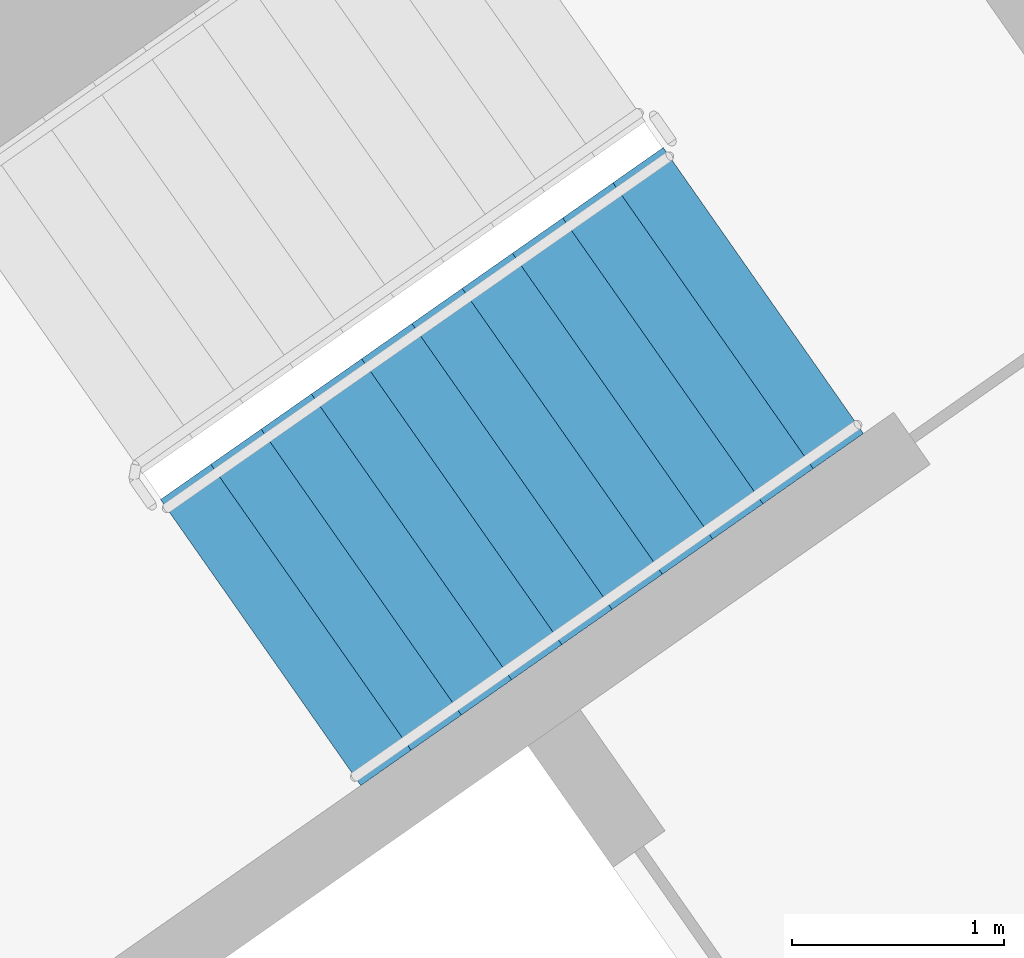
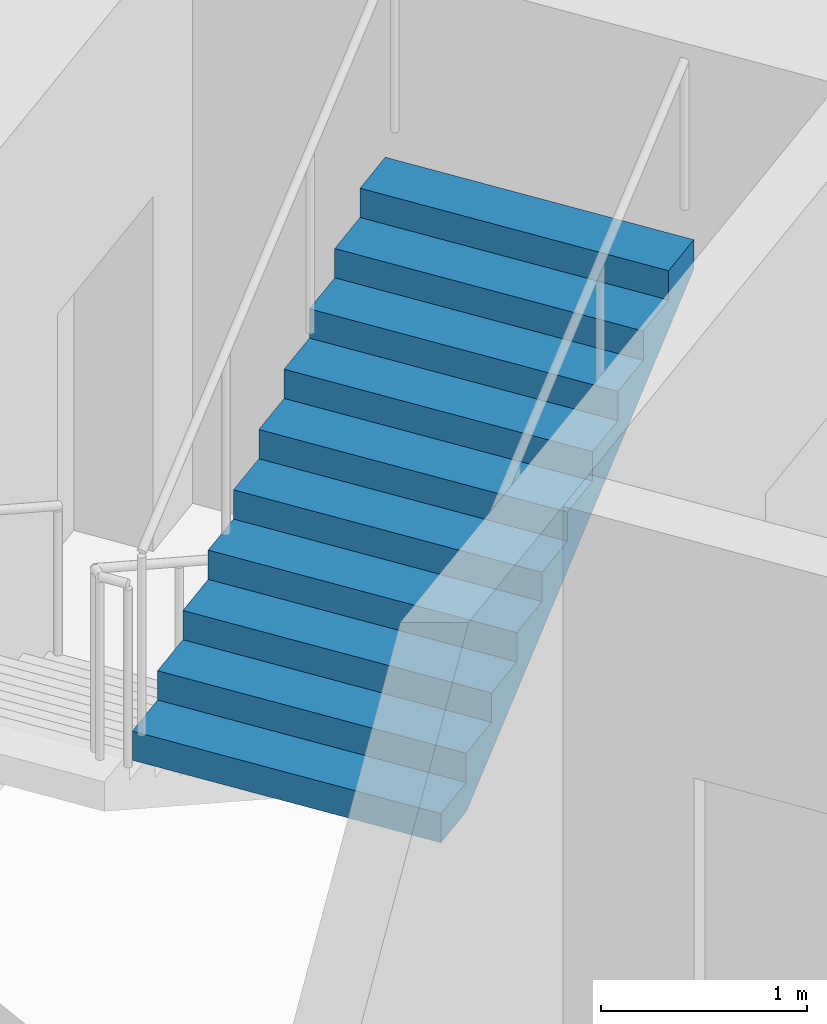
# One storey, part 17 of 35: 1 stair flight, 1 element without a shape of its own.
"""IFC4 building model written with IfcOpenShell, lengths in metres."""

from ifc_helpers import new_model, si_unit, direction, frame, origin, place, context, subcontext, project, spatial, faceted_brep, material, type_object, element, aggregate, save


model = new_model("IFC4")

# Units and contexts
model_context = context("Model", 3, precision=1e-05, world=origin(), true_north=direction((0.0, 1.0)))
body_context = subcontext(model_context, "Body", "Model", "MODEL_VIEW")
ifc_project = project(units=[si_unit("LENGTHUNIT", "METRE"), si_unit("AREAUNIT", "SQUARE_METRE"), si_unit("VOLUMEUNIT", "CUBIC_METRE"), si_unit("PLANEANGLEUNIT", "RADIAN"), si_unit("MASSUNIT", "GRAM", prefix="KILO")], contexts=[model_context])

# Site, building, storey
site_placement = place(None, origin())
site = spatial("IfcSite", under=ifc_project, at=site_placement, CompositionType="ELEMENT")
building_placement = place(site_placement, origin())
building = spatial("IfcBuilding", under=site, at=building_placement, Name="Qamariyya Broadcast Tower", CompositionType="ELEMENT")
storey_placement = place(building_placement, frame((0.0, 0.0, 40.5)))
storey = spatial("IfcBuildingStorey", under=building, at=storey_placement, Name="L06", CompositionType="ELEMENT", Elevation=40.5)

# Stair, stair flight
ifc_material = material(Name="Concrete C50/60", Category="concrete")
stair_type = type_object("IfcStairType", Name="Exit stair 22 risers of 173 mm", PredefinedType="HALF_TURN_STAIR", material=ifc_material)
stair_placement = place(storey_placement, origin())
stair = element("IfcStair", 1, at=stair_placement, inside=storey, type_object=stair_type, Name="L06 Stair E2", PredefinedType="HALF_TURN_STAIR")
stair_flight_type = type_object("IfcStairFlightType", Name="Exit stair flight 11 risers of 173 mm", PredefinedType="STRAIGHT", material=ifc_material)
stair_flight_placement = place(storey_placement, frame((39.215576171875, -50.822998046875, 1.89990234375), z_axis=(0.0, 0.0, 1.0), x_axis=(0.819152044289, 0.573576436351, 0.0)))
stair_flight = element("IfcStairFlight", 2, at=stair_flight_placement, type_object=stair_flight_type, Name="ST-E2 flight 2", NumberOfRisers=11, NumberOfTreads=10, PredefinedType="STRAIGHT", RiserHeight=0.172727273, TreadLength=0.29, context=body_context, shape_type="Brep", body=[
    faceted_brep([(0.0, 0.824951171875, 0.0), (0.0, 0.824951171875, 0.172607421875), (0.2900390625, 0.824951171875, 0.172607421875), (0.2900390625, 0.824951171875, 0.345458984375), (0.580078125, 0.824951171875, 0.345458984375), (0.580078125, 0.824951171875, 0.51806640625), (0.8701171875, 0.824951171875, 0.51806640625), (0.8701171875, 0.824951171875, 0.69091796875), (1.159912109375, 0.824951171875, 0.69091796875), (1.159912109375, 0.824951171875, 0.863525390625), (1.449951171875, 0.824951171875, 0.863525390625), (1.449951171875, 0.824951171875, 1.036376953125), (1.739990234375, 0.824951171875, 1.036376953125), (1.739990234375, 0.824951171875, 1.208984375), (2.030029296875, 0.824951171875, 1.208984375), (2.030029296875, 0.824951171875, 1.3818359375), (2.320068359375, 0.824951171875, 1.3818359375), (2.320068359375, 0.824951171875, 1.554443359375), (2.610107421875, 0.824951171875, 1.554443359375), (2.610107421875, 0.824951171875, 1.727294921875), (2.89990234375, 0.824951171875, 1.727294921875), (2.89990234375, 0.824951171875, 1.552734375), (0.29296875, 0.824951171875, 0.0), (0.29296875, -0.824951171875, 0.0), (2.89990234375, -0.824951171875, 1.552734375), (2.89990234375, -0.824951171875, 1.727294921875), (2.610107421875, -0.824951171875, 1.727294921875), (2.610107421875, -0.824951171875, 1.554443359375), (2.320068359375, -0.824951171875, 1.554443359375), (2.320068359375, -0.824951171875, 1.3818359375), (2.030029296875, -0.824951171875, 1.3818359375), (2.030029296875, -0.824951171875, 1.208984375), (1.739990234375, -0.824951171875, 1.208984375), (1.739990234375, -0.824951171875, 1.036376953125), (1.449951171875, -0.824951171875, 1.036376953125), (1.449951171875, -0.824951171875, 0.863525390625), (1.159912109375, -0.824951171875, 0.863525390625), (1.159912109375, -0.824951171875, 0.69091796875), (0.8701171875, -0.824951171875, 0.69091796875), (0.8701171875, -0.824951171875, 0.51806640625), (0.580078125, -0.824951171875, 0.51806640625), (0.580078125, -0.824951171875, 0.345458984375), (0.2900390625, -0.824951171875, 0.345458984375), (0.2900390625, -0.824951171875, 0.172607421875), (0.0, -0.824951171875, 0.172607421875), (0.0, -0.824951171875, 0.0), (0.0, 0.10009765625, 0.0), (0.0, 0.086669921875, 0.0), (0.0, 0.0732421875, 0.0), (0.0, 0.06005859375, 0.0), (0.0, 0.046630859375, 0.0), (0.0, 0.033447265625, 0.0), (0.0, 0.02001953125, 0.0), (0.0, 0.006591796875, 0.0), (0.0, -0.006591796875, 0.0), (0.0, -0.02001953125, 0.0), (0.0, -0.033447265625, 0.0), (0.0, -0.046630859375, 0.0), (0.0, -0.06005859375, 0.0), (0.0, -0.0732421875, 0.0), (0.0, -0.086669921875, 0.0), (0.0, -0.10009765625, 0.0), (0.0, -0.10009765625, 0.172607421875), (0.0, -0.086669921875, 0.172607421875), (0.0, -0.0732421875, 0.172607421875), (0.0, -0.06005859375, 0.172607421875), (0.0, -0.046630859375, 0.172607421875), (0.0, -0.033447265625, 0.172607421875), (0.0, -0.02001953125, 0.172607421875), (0.0, -0.006591796875, 0.172607421875), (0.0, 0.006591796875, 0.172607421875), (0.0, 0.02001953125, 0.172607421875), (0.0, 0.033447265625, 0.172607421875), (0.0, 0.046630859375, 0.172607421875), (0.0, 0.06005859375, 0.172607421875), (0.0, 0.0732421875, 0.172607421875), (0.0, 0.086669921875, 0.172607421875), (0.0, 0.10009765625, 0.172607421875), (0.2900390625, -0.10009765625, 0.172607421875), (0.2900390625, -0.086669921875, 0.172607421875), (0.2900390625, -0.0732421875, 0.172607421875), (0.2900390625, -0.06005859375, 0.172607421875), (0.2900390625, -0.046630859375, 0.172607421875), (0.2900390625, -0.033447265625, 0.172607421875), (0.2900390625, -0.02001953125, 0.172607421875), (0.2900390625, -0.006591796875, 0.172607421875), (0.2900390625, 0.006591796875, 0.172607421875), (0.2900390625, 0.02001953125, 0.172607421875), (0.2900390625, 0.033447265625, 0.172607421875), (0.2900390625, 0.046630859375, 0.172607421875), (0.2900390625, 0.06005859375, 0.172607421875), (0.2900390625, 0.0732421875, 0.172607421875), (0.2900390625, 0.086669921875, 0.172607421875), (0.2900390625, 0.10009765625, 0.172607421875), (0.2900390625, -0.10009765625, 0.345458984375), (0.2900390625, -0.086669921875, 0.345458984375), (0.2900390625, -0.0732421875, 0.345458984375), (0.2900390625, -0.06005859375, 0.345458984375), (0.2900390625, -0.046630859375, 0.345458984375), (0.2900390625, -0.033447265625, 0.345458984375), (0.2900390625, -0.02001953125, 0.345458984375), (0.2900390625, -0.006591796875, 0.345458984375), (0.2900390625, 0.006591796875, 0.345458984375), (0.2900390625, 0.02001953125, 0.345458984375), (0.2900390625, 0.033447265625, 0.345458984375), (0.2900390625, 0.046630859375, 0.345458984375), (0.2900390625, 0.06005859375, 0.345458984375), (0.2900390625, 0.0732421875, 0.345458984375), (0.2900390625, 0.086669921875, 0.345458984375), (0.2900390625, 0.10009765625, 0.345458984375), (0.580078125, -0.10009765625, 0.345458984375), (0.580078125, -0.086669921875, 0.345458984375), (0.580078125, -0.0732421875, 0.345458984375), (0.580078125, -0.06005859375, 0.345458984375), (0.580078125, -0.046630859375, 0.345458984375), (0.580078125, -0.033447265625, 0.345458984375), (0.580078125, -0.02001953125, 0.345458984375), (0.580078125, -0.006591796875, 0.345458984375), (0.580078125, 0.006591796875, 0.345458984375), (0.580078125, 0.02001953125, 0.345458984375), (0.580078125, 0.033447265625, 0.345458984375), (0.580078125, 0.046630859375, 0.345458984375), (0.580078125, 0.06005859375, 0.345458984375), (0.580078125, 0.0732421875, 0.345458984375), (0.580078125, 0.086669921875, 0.345458984375), (0.580078125, 0.10009765625, 0.345458984375), (0.580078125, -0.10009765625, 0.51806640625), (0.580078125, -0.086669921875, 0.51806640625), (0.580078125, -0.0732421875, 0.51806640625), (0.580078125, -0.06005859375, 0.51806640625), (0.580078125, -0.046630859375, 0.51806640625), (0.580078125, -0.033447265625, 0.51806640625), (0.580078125, -0.02001953125, 0.51806640625), (0.580078125, -0.006591796875, 0.51806640625), (0.580078125, 0.006591796875, 0.51806640625), (0.580078125, 0.02001953125, 0.51806640625), (0.580078125, 0.033447265625, 0.51806640625), (0.580078125, 0.046630859375, 0.51806640625), (0.580078125, 0.06005859375, 0.51806640625), (0.580078125, 0.0732421875, 0.51806640625), (0.580078125, 0.086669921875, 0.51806640625), (0.580078125, 0.10009765625, 0.51806640625), (0.8701171875, -0.10009765625, 0.51806640625), (0.8701171875, -0.086669921875, 0.51806640625), (0.8701171875, -0.0732421875, 0.51806640625), (0.8701171875, -0.06005859375, 0.51806640625), (0.8701171875, -0.046630859375, 0.51806640625), (0.8701171875, -0.033447265625, 0.51806640625), (0.8701171875, -0.02001953125, 0.51806640625), (0.8701171875, -0.006591796875, 0.51806640625), (0.8701171875, 0.006591796875, 0.51806640625), (0.8701171875, 0.02001953125, 0.51806640625), (0.8701171875, 0.033447265625, 0.51806640625), (0.8701171875, 0.046630859375, 0.51806640625), (0.8701171875, 0.06005859375, 0.51806640625), (0.8701171875, 0.0732421875, 0.51806640625), (0.8701171875, 0.086669921875, 0.51806640625), (0.8701171875, 0.10009765625, 0.51806640625), (0.8701171875, -0.10009765625, 0.69091796875), (0.8701171875, -0.086669921875, 0.69091796875), (0.8701171875, -0.0732421875, 0.69091796875), (0.8701171875, -0.06005859375, 0.69091796875), (0.8701171875, -0.046630859375, 0.69091796875), (0.8701171875, -0.033447265625, 0.69091796875), (0.8701171875, -0.02001953125, 0.69091796875), (0.8701171875, -0.006591796875, 0.69091796875), (0.8701171875, 0.006591796875, 0.69091796875), (0.8701171875, 0.02001953125, 0.69091796875), (0.8701171875, 0.033447265625, 0.69091796875), (0.8701171875, 0.046630859375, 0.69091796875), (0.8701171875, 0.06005859375, 0.69091796875), (0.8701171875, 0.0732421875, 0.69091796875), (0.8701171875, 0.086669921875, 0.69091796875), (0.8701171875, 0.10009765625, 0.69091796875), (1.159912109375, -0.10009765625, 0.69091796875), (1.159912109375, -0.086669921875, 0.69091796875), (1.159912109375, -0.0732421875, 0.69091796875), (1.159912109375, -0.06005859375, 0.69091796875), (1.159912109375, -0.046630859375, 0.69091796875), (1.159912109375, -0.033447265625, 0.69091796875), (1.159912109375, -0.02001953125, 0.69091796875), (1.159912109375, -0.006591796875, 0.69091796875), (1.159912109375, 0.006591796875, 0.69091796875), (1.159912109375, 0.02001953125, 0.69091796875), (1.159912109375, 0.033447265625, 0.69091796875), (1.159912109375, 0.046630859375, 0.69091796875), (1.159912109375, 0.06005859375, 0.69091796875), (1.159912109375, 0.0732421875, 0.69091796875), (1.159912109375, 0.086669921875, 0.69091796875), (1.159912109375, 0.10009765625, 0.69091796875), (1.159912109375, -0.10009765625, 0.863525390625), (1.159912109375, -0.086669921875, 0.863525390625), (1.159912109375, -0.0732421875, 0.863525390625), (1.159912109375, -0.06005859375, 0.863525390625), (1.159912109375, -0.046630859375, 0.863525390625), (1.159912109375, -0.033447265625, 0.863525390625), (1.159912109375, -0.02001953125, 0.863525390625), (1.159912109375, -0.006591796875, 0.863525390625), (1.159912109375, 0.006591796875, 0.863525390625), (1.159912109375, 0.02001953125, 0.863525390625), (1.159912109375, 0.033447265625, 0.863525390625), (1.159912109375, 0.046630859375, 0.863525390625), (1.159912109375, 0.06005859375, 0.863525390625), (1.159912109375, 0.0732421875, 0.863525390625), (1.159912109375, 0.086669921875, 0.863525390625), (1.159912109375, 0.10009765625, 0.863525390625), (1.449951171875, -0.10009765625, 0.863525390625), (1.449951171875, -0.086669921875, 0.863525390625), (1.449951171875, -0.0732421875, 0.863525390625), (1.449951171875, -0.06005859375, 0.863525390625), (1.449951171875, -0.046630859375, 0.863525390625), (1.449951171875, -0.033447265625, 0.863525390625), (1.449951171875, -0.02001953125, 0.863525390625), (1.449951171875, -0.006591796875, 0.863525390625), (1.449951171875, 0.006591796875, 0.863525390625), (1.449951171875, 0.02001953125, 0.863525390625), (1.449951171875, 0.033447265625, 0.863525390625), (1.449951171875, 0.046630859375, 0.863525390625), (1.449951171875, 0.06005859375, 0.863525390625), (1.449951171875, 0.0732421875, 0.863525390625), (1.449951171875, 0.086669921875, 0.863525390625), (1.449951171875, 0.10009765625, 0.863525390625), (1.449951171875, -0.10009765625, 1.036376953125), (1.449951171875, -0.086669921875, 1.036376953125), (1.449951171875, -0.0732421875, 1.036376953125), (1.449951171875, -0.06005859375, 1.036376953125), (1.449951171875, -0.046630859375, 1.036376953125), (1.449951171875, -0.033447265625, 1.036376953125), (1.449951171875, -0.02001953125, 1.036376953125), (1.449951171875, -0.006591796875, 1.036376953125), (1.449951171875, 0.006591796875, 1.036376953125), (1.449951171875, 0.02001953125, 1.036376953125), (1.449951171875, 0.033447265625, 1.036376953125), (1.449951171875, 0.046630859375, 1.036376953125), (1.449951171875, 0.06005859375, 1.036376953125), (1.449951171875, 0.0732421875, 1.036376953125), (1.449951171875, 0.086669921875, 1.036376953125), (1.449951171875, 0.10009765625, 1.036376953125), (1.739990234375, -0.10009765625, 1.036376953125), (1.739990234375, -0.086669921875, 1.036376953125), (1.739990234375, -0.0732421875, 1.036376953125), (1.739990234375, -0.06005859375, 1.036376953125), (1.739990234375, -0.046630859375, 1.036376953125), (1.739990234375, -0.033447265625, 1.036376953125), (1.739990234375, -0.02001953125, 1.036376953125), (1.739990234375, -0.006591796875, 1.036376953125), (1.739990234375, 0.006591796875, 1.036376953125), (1.739990234375, 0.02001953125, 1.036376953125), (1.739990234375, 0.033447265625, 1.036376953125), (1.739990234375, 0.046630859375, 1.036376953125), (1.739990234375, 0.06005859375, 1.036376953125), (1.739990234375, 0.0732421875, 1.036376953125), (1.739990234375, 0.086669921875, 1.036376953125), (1.739990234375, 0.10009765625, 1.036376953125), (1.739990234375, -0.10009765625, 1.208984375), (1.739990234375, -0.086669921875, 1.208984375), (1.739990234375, -0.0732421875, 1.208984375), (1.739990234375, -0.06005859375, 1.208984375), (1.739990234375, -0.046630859375, 1.208984375), (1.739990234375, -0.033447265625, 1.208984375), (1.739990234375, -0.02001953125, 1.208984375), (1.739990234375, -0.006591796875, 1.208984375), (1.739990234375, 0.006591796875, 1.208984375), (1.739990234375, 0.02001953125, 1.208984375), (1.739990234375, 0.033447265625, 1.208984375), (1.739990234375, 0.046630859375, 1.208984375), (1.739990234375, 0.06005859375, 1.208984375), (1.739990234375, 0.0732421875, 1.208984375), (1.739990234375, 0.086669921875, 1.208984375), (1.739990234375, 0.10009765625, 1.208984375), (2.030029296875, -0.10009765625, 1.208984375), (2.030029296875, -0.086669921875, 1.208984375), (2.030029296875, -0.0732421875, 1.208984375), (2.030029296875, -0.06005859375, 1.208984375), (2.030029296875, -0.046630859375, 1.208984375), (2.030029296875, -0.033447265625, 1.208984375), (2.030029296875, -0.02001953125, 1.208984375), (2.030029296875, -0.006591796875, 1.208984375), (2.030029296875, 0.006591796875, 1.208984375), (2.030029296875, 0.02001953125, 1.208984375), (2.030029296875, 0.033447265625, 1.208984375), (2.030029296875, 0.046630859375, 1.208984375), (2.030029296875, 0.06005859375, 1.208984375), (2.030029296875, 0.0732421875, 1.208984375), (2.030029296875, 0.086669921875, 1.208984375), (2.030029296875, 0.10009765625, 1.208984375), (2.030029296875, -0.10009765625, 1.3818359375), (2.030029296875, -0.086669921875, 1.3818359375), (2.030029296875, -0.0732421875, 1.3818359375), (2.030029296875, -0.06005859375, 1.3818359375), (2.030029296875, -0.046630859375, 1.3818359375), (2.030029296875, -0.033447265625, 1.3818359375), (2.030029296875, -0.02001953125, 1.3818359375), (2.030029296875, -0.006591796875, 1.3818359375), (2.030029296875, 0.006591796875, 1.3818359375), (2.030029296875, 0.02001953125, 1.3818359375), (2.030029296875, 0.033447265625, 1.3818359375), (2.030029296875, 0.046630859375, 1.3818359375), (2.030029296875, 0.06005859375, 1.3818359375), (2.030029296875, 0.0732421875, 1.3818359375), (2.030029296875, 0.086669921875, 1.3818359375), (2.030029296875, 0.10009765625, 1.3818359375), (2.320068359375, -0.10009765625, 1.3818359375), (2.320068359375, -0.086669921875, 1.3818359375), (2.320068359375, -0.0732421875, 1.3818359375), (2.320068359375, -0.06005859375, 1.3818359375), (2.320068359375, -0.046630859375, 1.3818359375), (2.320068359375, -0.033447265625, 1.3818359375), (2.320068359375, -0.02001953125, 1.3818359375), (2.320068359375, -0.006591796875, 1.3818359375), (2.320068359375, 0.006591796875, 1.3818359375), (2.320068359375, 0.02001953125, 1.3818359375), (2.320068359375, 0.033447265625, 1.3818359375), (2.320068359375, 0.046630859375, 1.3818359375), (2.320068359375, 0.06005859375, 1.3818359375), (2.320068359375, 0.0732421875, 1.3818359375), (2.320068359375, 0.086669921875, 1.3818359375), (2.320068359375, 0.10009765625, 1.3818359375), (2.320068359375, -0.10009765625, 1.554443359375), (2.320068359375, -0.086669921875, 1.554443359375), (2.320068359375, -0.0732421875, 1.554443359375), (2.320068359375, -0.06005859375, 1.554443359375), (2.320068359375, -0.046630859375, 1.554443359375), (2.320068359375, -0.033447265625, 1.554443359375), (2.320068359375, -0.02001953125, 1.554443359375), (2.320068359375, -0.006591796875, 1.554443359375), (2.320068359375, 0.006591796875, 1.554443359375), (2.320068359375, 0.02001953125, 1.554443359375), (2.320068359375, 0.033447265625, 1.554443359375), (2.320068359375, 0.046630859375, 1.554443359375), (2.320068359375, 0.06005859375, 1.554443359375), (2.320068359375, 0.0732421875, 1.554443359375), (2.320068359375, 0.086669921875, 1.554443359375), (2.320068359375, 0.10009765625, 1.554443359375), (2.610107421875, -0.10009765625, 1.554443359375), (2.610107421875, -0.086669921875, 1.554443359375), (2.610107421875, -0.0732421875, 1.554443359375), (2.610107421875, -0.06005859375, 1.554443359375), (2.610107421875, -0.046630859375, 1.554443359375), (2.610107421875, -0.033447265625, 1.554443359375), (2.610107421875, -0.02001953125, 1.554443359375), (2.610107421875, -0.006591796875, 1.554443359375), (2.610107421875, 0.006591796875, 1.554443359375), (2.610107421875, 0.02001953125, 1.554443359375), (2.610107421875, 0.033447265625, 1.554443359375), (2.610107421875, 0.046630859375, 1.554443359375), (2.610107421875, 0.06005859375, 1.554443359375), (2.610107421875, 0.0732421875, 1.554443359375), (2.610107421875, 0.086669921875, 1.554443359375), (2.610107421875, 0.10009765625, 1.554443359375), (2.610107421875, -0.10009765625, 1.727294921875), (2.610107421875, -0.086669921875, 1.727294921875), (2.610107421875, -0.0732421875, 1.727294921875), (2.610107421875, -0.06005859375, 1.727294921875), (2.610107421875, -0.046630859375, 1.727294921875), (2.610107421875, -0.033447265625, 1.727294921875), (2.610107421875, -0.02001953125, 1.727294921875), (2.610107421875, -0.006591796875, 1.727294921875), (2.610107421875, 0.006591796875, 1.727294921875), (2.610107421875, 0.02001953125, 1.727294921875), (2.610107421875, 0.033447265625, 1.727294921875), (2.610107421875, 0.046630859375, 1.727294921875), (2.610107421875, 0.06005859375, 1.727294921875), (2.610107421875, 0.0732421875, 1.727294921875), (2.610107421875, 0.086669921875, 1.727294921875), (2.610107421875, 0.10009765625, 1.727294921875), (2.89990234375, -0.10009765625, 1.727294921875), (2.89990234375, -0.086669921875, 1.727294921875), (2.89990234375, -0.0732421875, 1.727294921875), (2.89990234375, -0.06005859375, 1.727294921875), (2.89990234375, -0.046630859375, 1.727294921875), (2.89990234375, -0.033447265625, 1.727294921875), (2.89990234375, -0.02001953125, 1.727294921875), (2.89990234375, -0.006591796875, 1.727294921875), (2.89990234375, 0.006591796875, 1.727294921875), (2.89990234375, 0.02001953125, 1.727294921875), (2.89990234375, 0.033447265625, 1.727294921875), (2.89990234375, 0.046630859375, 1.727294921875), (2.89990234375, 0.06005859375, 1.727294921875), (2.89990234375, 0.0732421875, 1.727294921875), (2.89990234375, 0.086669921875, 1.727294921875), (2.89990234375, 0.10009765625, 1.727294921875), (2.89990234375, -0.10009765625, 1.552734375), (2.89990234375, -0.086669921875, 1.552734375), (2.89990234375, -0.0732421875, 1.552734375), (2.89990234375, -0.06005859375, 1.552734375), (2.89990234375, -0.046630859375, 1.552734375), (2.89990234375, -0.033447265625, 1.552734375), (2.89990234375, -0.02001953125, 1.552734375), (2.89990234375, -0.006591796875, 1.552734375), (2.89990234375, 0.006591796875, 1.552734375), (2.89990234375, 0.02001953125, 1.552734375), (2.89990234375, 0.033447265625, 1.552734375), (2.89990234375, 0.046630859375, 1.552734375), (2.89990234375, 0.06005859375, 1.552734375), (2.89990234375, 0.0732421875, 1.552734375), (2.89990234375, 0.086669921875, 1.552734375), (2.89990234375, 0.10009765625, 1.552734375), (0.29296875, -0.10009765625, 0.0), (0.29296875, -0.086669921875, 0.0), (0.29296875, -0.0732421875, 0.0), (0.29296875, -0.06005859375, 0.0), (0.29296875, -0.046630859375, 0.0), (0.29296875, -0.033447265625, 0.0), (0.29296875, -0.02001953125, 0.0), (0.29296875, -0.006591796875, 0.0), (0.29296875, 0.006591796875, 0.0), (0.29296875, 0.02001953125, 0.0), (0.29296875, 0.033447265625, 0.0), (0.29296875, 0.046630859375, 0.0), (0.29296875, 0.06005859375, 0.0), (0.29296875, 0.0732421875, 0.0), (0.29296875, 0.086669921875, 0.0), (0.29296875, 0.10009765625, 0.0)], [[[0, 1, 2, 3, 4, 5, 6, 7, 8, 9, 10, 11, 12, 13, 14, 15, 16, 17, 18, 19, 20, 21, 22]], [[23, 24, 25, 26, 27, 28, 29, 30, 31, 32, 33, 34, 35, 36, 37, 38, 39, 40, 41, 42, 43, 44, 45]], [[0, 46, 47, 48, 49, 50, 51, 52, 53, 54, 55, 56, 57, 58, 59, 60, 61, 45, 44, 62, 63, 64, 65, 66, 67, 68, 69, 70, 71, 72, 73, 74, 75, 76, 77, 1]], [[1, 77, 76, 75, 74, 73, 72, 71, 70, 69, 68, 67, 66, 65, 64, 63, 62, 44, 43, 78, 79, 80, 81, 82, 83, 84, 85, 86, 87, 88, 89, 90, 91, 92, 93, 2]], [[2, 93, 92, 91, 90, 89, 88, 87, 86, 85, 84, 83, 82, 81, 80, 79, 78, 43, 42, 94, 95, 96, 97, 98, 99, 100, 101, 102, 103, 104, 105, 106, 107, 108, 109, 3]], [[3, 109, 108, 107, 106, 105, 104, 103, 102, 101, 100, 99, 98, 97, 96, 95, 94, 42, 41, 110, 111, 112, 113, 114, 115, 116, 117, 118, 119, 120, 121, 122, 123, 124, 125, 4]], [[4, 125, 124, 123, 122, 121, 120, 119, 118, 117, 116, 115, 114, 113, 112, 111, 110, 41, 40, 126, 127, 128, 129, 130, 131, 132, 133, 134, 135, 136, 137, 138, 139, 140, 141, 5]], [[5, 141, 140, 139, 138, 137, 136, 135, 134, 133, 132, 131, 130, 129, 128, 127, 126, 40, 39, 142, 143, 144, 145, 146, 147, 148, 149, 150, 151, 152, 153, 154, 155, 156, 157, 6]], [[6, 157, 156, 155, 154, 153, 152, 151, 150, 149, 148, 147, 146, 145, 144, 143, 142, 39, 38, 158, 159, 160, 161, 162, 163, 164, 165, 166, 167, 168, 169, 170, 171, 172, 173, 7]], [[7, 173, 172, 171, 170, 169, 168, 167, 166, 165, 164, 163, 162, 161, 160, 159, 158, 38, 37, 174, 175, 176, 177, 178, 179, 180, 181, 182, 183, 184, 185, 186, 187, 188, 189, 8]], [[8, 189, 188, 187, 186, 185, 184, 183, 182, 181, 180, 179, 178, 177, 176, 175, 174, 37, 36, 190, 191, 192, 193, 194, 195, 196, 197, 198, 199, 200, 201, 202, 203, 204, 205, 9]], [[9, 205, 204, 203, 202, 201, 200, 199, 198, 197, 196, 195, 194, 193, 192, 191, 190, 36, 35, 206, 207, 208, 209, 210, 211, 212, 213, 214, 215, 216, 217, 218, 219, 220, 221, 10]], [[10, 221, 220, 219, 218, 217, 216, 215, 214, 213, 212, 211, 210, 209, 208, 207, 206, 35, 34, 222, 223, 224, 225, 226, 227, 228, 229, 230, 231, 232, 233, 234, 235, 236, 237, 11]], [[11, 237, 236, 235, 234, 233, 232, 231, 230, 229, 228, 227, 226, 225, 224, 223, 222, 34, 33, 238, 239, 240, 241, 242, 243, 244, 245, 246, 247, 248, 249, 250, 251, 252, 253, 12]], [[12, 253, 252, 251, 250, 249, 248, 247, 246, 245, 244, 243, 242, 241, 240, 239, 238, 33, 32, 254, 255, 256, 257, 258, 259, 260, 261, 262, 263, 264, 265, 266, 267, 268, 269, 13]], [[13, 269, 268, 267, 266, 265, 264, 263, 262, 261, 260, 259, 258, 257, 256, 255, 254, 32, 31, 270, 271, 272, 273, 274, 275, 276, 277, 278, 279, 280, 281, 282, 283, 284, 285, 14]], [[14, 285, 284, 283, 282, 281, 280, 279, 278, 277, 276, 275, 274, 273, 272, 271, 270, 31, 30, 286, 287, 288, 289, 290, 291, 292, 293, 294, 295, 296, 297, 298, 299, 300, 301, 15]], [[15, 301, 300, 299, 298, 297, 296, 295, 294, 293, 292, 291, 290, 289, 288, 287, 286, 30, 29, 302, 303, 304, 305, 306, 307, 308, 309, 310, 311, 312, 313, 314, 315, 316, 317, 16]], [[16, 317, 316, 315, 314, 313, 312, 311, 310, 309, 308, 307, 306, 305, 304, 303, 302, 29, 28, 318, 319, 320, 321, 322, 323, 324, 325, 326, 327, 328, 329, 330, 331, 332, 333, 17]], [[17, 333, 332, 331, 330, 329, 328, 327, 326, 325, 324, 323, 322, 321, 320, 319, 318, 28, 27, 334, 335, 336, 337, 338, 339, 340, 341, 342, 343, 344, 345, 346, 347, 348, 349, 18]], [[18, 349, 348, 347, 346, 345, 344, 343, 342, 341, 340, 339, 338, 337, 336, 335, 334, 27, 26, 350, 351, 352, 353, 354, 355, 356, 357, 358, 359, 360, 361, 362, 363, 364, 365, 19]], [[19, 365, 364, 363, 362, 361, 360, 359, 358, 357, 356, 355, 354, 353, 352, 351, 350, 26, 25, 366, 367, 368, 369, 370, 371, 372, 373, 374, 375, 376, 377, 378, 379, 380, 381, 20]], [[20, 381, 380, 379, 378, 377, 376, 375, 374, 373, 372, 371, 370, 369, 368, 367, 366, 25, 24, 382, 383, 384, 385, 386, 387, 388, 389, 390, 391, 392, 393, 394, 395, 396, 397, 21]], [[21, 397, 396, 395, 394, 393, 392, 391, 390, 389, 388, 387, 386, 385, 384, 383, 382, 24, 23, 398, 399, 400, 401, 402, 403, 404, 405, 406, 407, 408, 409, 410, 411, 412, 413, 22]], [[22, 413, 412, 411, 410, 409, 408, 407, 406, 405, 404, 403, 402, 401, 400, 399, 398, 23, 45, 61, 60, 59, 58, 57, 56, 55, 54, 53, 52, 51, 50, 49, 48, 47, 46, 0]]]),
])
aggregate(stair, [stair_flight])

save(model, "model.ifc")
